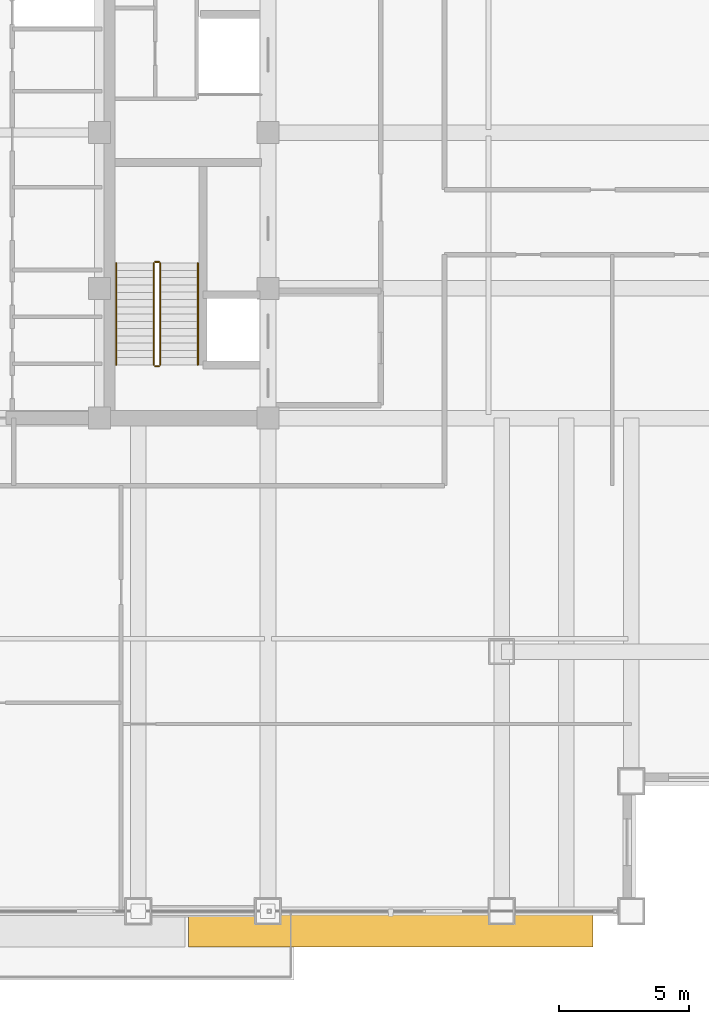
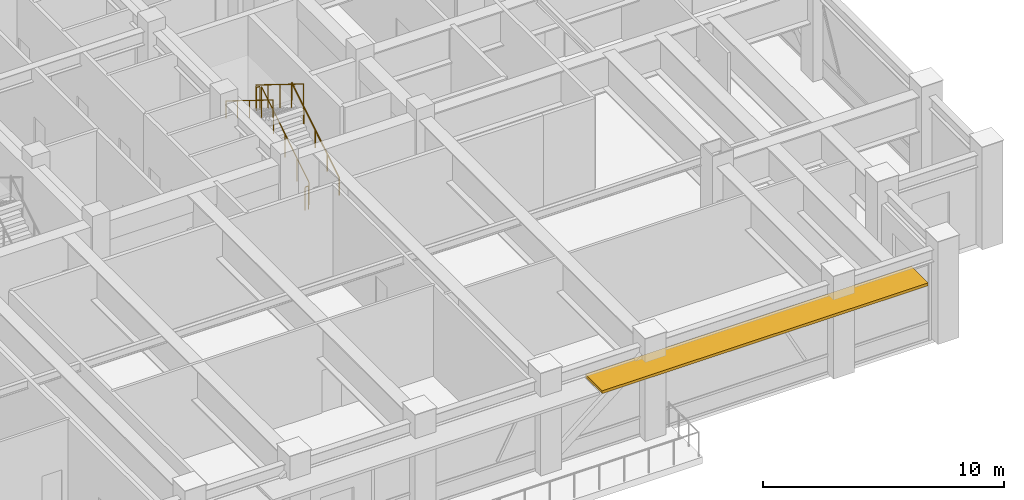
# One storey, part 30 of 33: 6 railings, 1 shading device.
"""IFC4 building model written with IfcOpenShell, lengths in metres."""

from ifc_helpers import new_model, si_unit, direction, frame, origin, origin_2d, place, context, subcontext, project, spatial, rectangle, circle, extrude, source, transform, mapped, material, layer, layer_set, type_object, element, save


model = new_model("IFC4")

# Units and contexts
model_context = context("Model", 3, precision=1e-05, world=origin(), true_north=direction((0.0, 1.0)))
body_context = subcontext(model_context, "Body", "Model", "MODEL_VIEW")
ifc_project = project(units=[si_unit("LENGTHUNIT", "METRE"), si_unit("AREAUNIT", "SQUARE_METRE"), si_unit("VOLUMEUNIT", "CUBIC_METRE"), si_unit("PLANEANGLEUNIT", "RADIAN"), si_unit("MASSUNIT", "GRAM", prefix="KILO")], contexts=[model_context])

# Site, building, storey
site_placement = place(None, origin())
site = spatial("IfcSite", under=ifc_project, at=site_placement, CompositionType="ELEMENT")
building_placement = place(site_placement, origin())
building = spatial("IfcBuilding", under=site, at=building_placement, Name="Khorayat Bourse Tower", CompositionType="ELEMENT")
storey_placement = place(building_placement, frame((0.0, 0.0, 263.10009765625)))
storey = spatial("IfcBuildingStorey", under=building, at=storey_placement, Name="L62", CompositionType="ELEMENT", Elevation=263.10009765625)

# Shading device
ifc_material_1 = material(Name="Precast concrete C45/55", Category="concrete")
ifc_layer = layer(ifc_material_1, 0.139892578125)
ifc_layer_set = layer_set([ifc_layer], Name="Precast concrete C45/55")
shading_device_type = type_object("IfcShadingDeviceType", Name="SHD-WAVE-TRAY-B", PredefinedType="USERDEFINED", material=ifc_layer_set)
shared_shape_1 = source(origin(), body_context, "Body", "SweptSolid", [
    extrude(rectangle(XDim=15.59326171875, YDim=1.3974609375, at=origin_2d()), origin(), (0.0, 0.0, 1.0), 0.139892578125),
])
shading_device_placement = place(storey_placement, frame((15.7333984375, -30.6787109375, 3.85009765625), z_axis=(0.0, 0.0, 1.0), x_axis=(1.0, 0.0, 0.0)))
element("IfcShadingDevice", 1, at=shading_device_placement, inside=storey, type_object=shading_device_type, Name="L62 Sinusoidal Wave Sunshade Tray S-3", ObjectType="SUNSHADE", PredefinedType="USERDEFINED", context=body_context, shape_type="MappedRepresentation", body=[
    mapped(shared_shape_1, transform((0.0, 0.0, 0.0), scale=1.0)),
])

# Railings
ifc_material_2 = material(Name="Powder-coated steel balustrade", Category="steel")
railing_type_1 = type_object("IfcRailingType", Name="RLG-GUARD-1200", PredefinedType="GUARDRAIL", material=ifc_material_2)
shared_shape_2 = source(origin(), body_context, "Body", "SweptSolid", [
    extrude(circle(Radius=0.02392578125, at=origin_2d()), frame((0.0, 0.0, 1.17578125), z_axis=(-1.0, 0.0, 0.0), x_axis=(0.0, -1.0, 0.0)), (0.0, 0.0, 1.0), 0.150146484375),
    extrude(circle(Radius=0.02099609375, at=origin_2d()), origin(), (0.0, 0.0, 1.0), 1.15185546875),
    extrude(circle(Radius=0.02099609375, at=origin_2d()), frame((-0.150146484375, 0.0, 0.0)), (0.0, 0.0, 1.0), 1.15185546875),
])
for number, where, name in (
    (2, (6.800048828125, -4.97998046875, 2.599853515625), "L62 ST-3 stair guard 2"),
    (3, (6.800048828125, -9.0, 0.0), "L62 ST-3 stair guard 4"),
):
    element("IfcRailing", number, at=place(storey_placement, frame(where)), inside=storey, type_object=railing_type_1, Name=name, PredefinedType="GUARDRAIL", context=body_context, shape_type="MappedRepresentation", body=[
        mapped(shared_shape_2, transform((0.0, 0.0, 0.0), scale=1.0)),
    ])
shared_shape_3 = source(origin(), body_context, "Body", "SweptSolid", [
    extrude(circle(Radius=0.02392578125, at=origin_2d()), frame((0.0, 0.0, 1.17578125), z_axis=(0.0, -0.850251603719, 0.526376491091), x_axis=(1.0, 0.0, 0.0)), (0.0, 0.0, 1.0), 4.6103515625),
    extrude(circle(Radius=0.02099609375, at=origin_2d()), origin(), (0.0, 0.0, 1.0), 1.15185546875),
    extrude(circle(Radius=0.02099609375, at=origin_2d()), frame((0.0, -0.97998046875, 0.606689453125)), (0.0, 0.0, 1.0), 1.15185546875),
    extrude(circle(Radius=0.02099609375, at=origin_2d()), frame((0.0, -1.9599609375, 1.21337890625)), (0.0, 0.0, 1.0), 1.15185546875),
    extrude(circle(Radius=0.02099609375, at=origin_2d()), frame((0.0, -2.93994140625, 1.820068359375)), (0.0, 0.0, 1.0), 1.15185546875),
    extrude(circle(Radius=0.02099609375, at=origin_2d()), frame((0.0, -3.919921875, 2.4267578125)), (0.0, 0.0, 1.0), 1.15185546875),
])
railing_1_placement = place(storey_placement, frame((6.60009765625, -5.030029296875, 2.773193359375)))
element("IfcRailing", 4, at=railing_1_placement, inside=storey, type_object=railing_type_1, Name="L62 ST-3 stair guard 3", PredefinedType="GUARDRAIL", context=body_context, shape_type="MappedRepresentation", body=[
    mapped(shared_shape_3, transform((0.0, 0.0, 0.0), scale=1.0)),
])
ifc_material_3 = material(Name="Brushed bronze stainless-steel handrail", Category="steel")
railing_type_2 = type_object("IfcRailingType", Name="RLG-HAND-900", PredefinedType="HANDRAIL", material=ifc_material_3)
shared_shape_4 = source(origin(), body_context, "Body", "SweptSolid", [
    extrude(circle(Radius=0.02392578125, at=origin_2d()), frame((0.0, 0.0, 0.8759765625), z_axis=(0.0, -0.850251603719, 0.526376491091), x_axis=(1.0, 0.0, 0.0)), (0.0, 0.0, 1.0), 4.6103515625),
    extrude(circle(Radius=0.02099609375, at=origin_2d()), origin(), (0.0, 0.0, 1.0), 0.851806640625),
    extrude(circle(Radius=0.02099609375, at=origin_2d()), frame((0.0, -0.97998046875, 0.606689453125)), (0.0, 0.0, 1.0), 0.851806640625),
    extrude(circle(Radius=0.02099609375, at=origin_2d()), frame((0.0, -1.9599609375, 1.21337890625)), (0.0, 0.0, 1.0), 0.851806640625),
    extrude(circle(Radius=0.02099609375, at=origin_2d()), frame((0.0, -2.93994140625, 1.820068359375)), (0.0, 0.0, 1.0), 0.851806640625),
    extrude(circle(Radius=0.02099609375, at=origin_2d()), frame((0.0, -3.919921875, 2.4267578125)), (0.0, 0.0, 1.0), 0.851806640625),
])
railing_2_placement = place(storey_placement, frame((5.14990234375, -5.030029296875, 2.773193359375)))
element("IfcRailing", 5, at=railing_2_placement, inside=storey, type_object=railing_type_2, Name="L62 ST-3 stair handrail 2", PredefinedType="HANDRAIL", context=body_context, shape_type="MappedRepresentation", body=[
    mapped(shared_shape_4, transform((0.0, 0.0, 0.0), scale=1.0)),
])
shared_shape_5 = source(origin(), body_context, "Body", "SweptSolid", [
    extrude(circle(Radius=0.02392578125, at=origin_2d()), frame((0.0, 0.0, 1.17578125), z_axis=(0.0, 0.850275303828, 0.526338206574), x_axis=(-1.0, 0.0, 0.0)), (0.0, 0.0, 1.0), 4.610107421875),
    extrude(circle(Radius=0.02099609375, at=origin_2d()), origin(), (0.0, 0.0, 1.0), 1.15185546875),
    extrude(circle(Radius=0.02099609375, at=origin_2d()), frame((0.0, 0.97998046875, 0.606689453125)), (0.0, 0.0, 1.0), 1.15185546875),
    extrude(circle(Radius=0.02099609375, at=origin_2d()), frame((0.0, 1.9599609375, 1.21337890625)), (0.0, 0.0, 1.0), 1.15185546875),
    extrude(circle(Radius=0.02099609375, at=origin_2d()), frame((0.0, 2.93994140625, 1.81982421875)), (0.0, 0.0, 1.0), 1.15185546875),
    extrude(circle(Radius=0.02099609375, at=origin_2d()), frame((0.0, 3.919921875, 2.426513671875)), (0.0, 0.0, 1.0), 1.15185546875),
])
railing_3_placement = place(storey_placement, frame((6.85009765625, -8.949951171875, 0.17333984375)))
element("IfcRailing", 6, at=railing_3_placement, inside=storey, type_object=railing_type_1, Name="L62 ST-3 stair guard 1", PredefinedType="GUARDRAIL", context=body_context, shape_type="MappedRepresentation", body=[
    mapped(shared_shape_5, transform((0.0, 0.0, 0.0), scale=1.0)),
])
shared_shape_6 = source(origin(), body_context, "Body", "SweptSolid", [
    extrude(circle(Radius=0.02392578125, at=origin_2d()), frame((0.0, 0.0, 0.8759765625), z_axis=(0.0, 0.850275303828, 0.526338206574), x_axis=(-1.0, 0.0, 0.0)), (0.0, 0.0, 1.0), 4.610107421875),
    extrude(circle(Radius=0.02099609375, at=origin_2d()), origin(), (0.0, 0.0, 1.0), 0.851806640625),
    extrude(circle(Radius=0.02099609375, at=origin_2d()), frame((0.0, 0.97998046875, 0.606689453125)), (0.0, 0.0, 1.0), 0.851806640625),
    extrude(circle(Radius=0.02099609375, at=origin_2d()), frame((0.0, 1.9599609375, 1.21337890625)), (0.0, 0.0, 1.0), 0.851806640625),
    extrude(circle(Radius=0.02099609375, at=origin_2d()), frame((0.0, 2.93994140625, 1.81982421875)), (0.0, 0.0, 1.0), 0.851806640625),
    extrude(circle(Radius=0.02099609375, at=origin_2d()), frame((0.0, 3.919921875, 2.426513671875)), (0.0, 0.0, 1.0), 0.851806640625),
])
railing_4_placement = place(storey_placement, frame((8.300048828125, -8.949951171875, 0.17333984375)))
element("IfcRailing", 7, at=railing_4_placement, inside=storey, type_object=railing_type_2, Name="L62 ST-3 stair handrail 1", PredefinedType="HANDRAIL", context=body_context, shape_type="MappedRepresentation", body=[
    mapped(shared_shape_6, transform((0.0, 0.0, 0.0), scale=1.0)),
])

save(model, "model.ifc")
